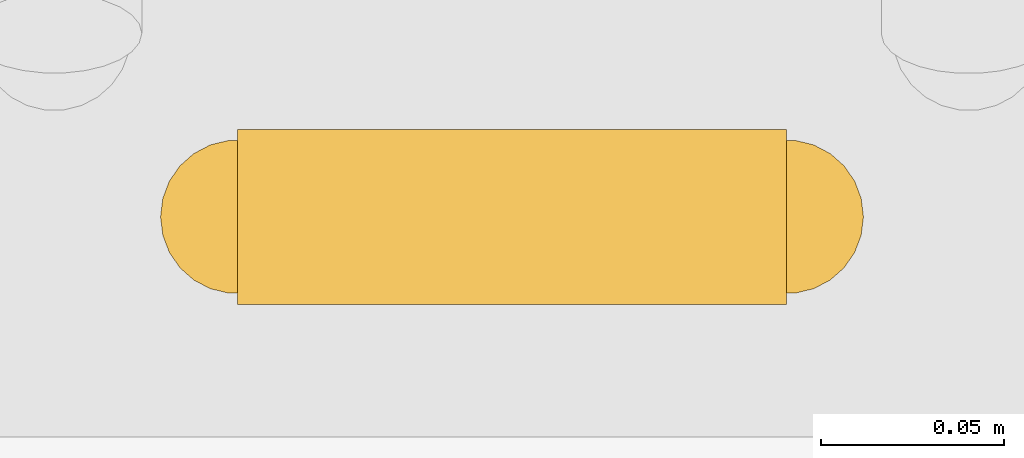
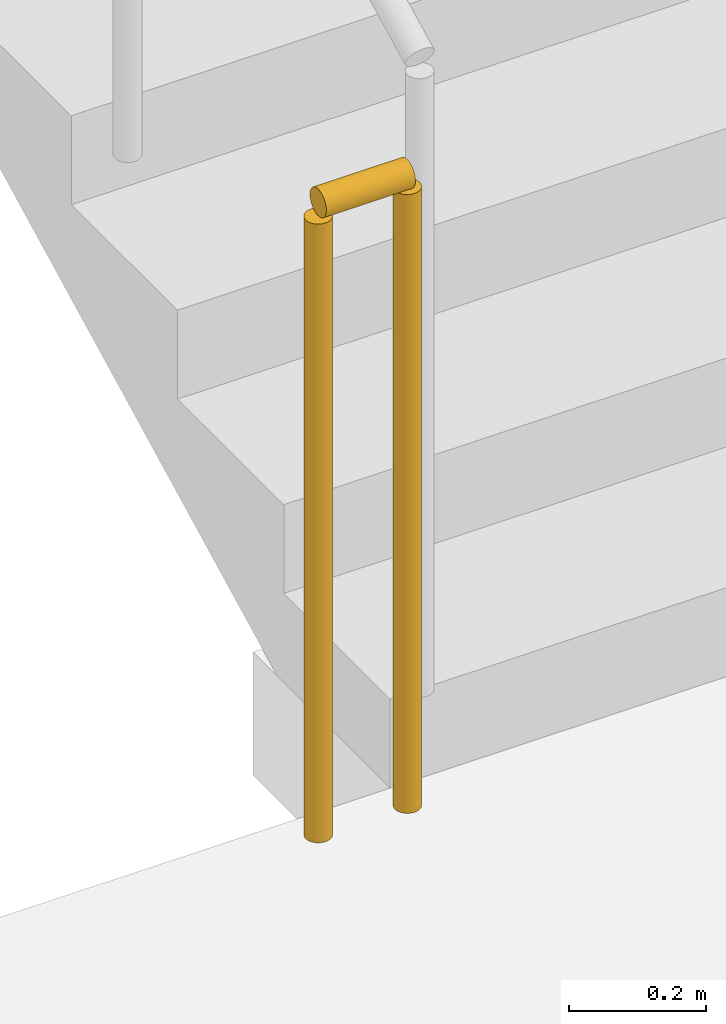
# One storey, part 15 of 18: 1 railing.
"""IFC4 building model written with IfcOpenShell, lengths in metres."""

from ifc_helpers import new_model, si_unit, direction, frame, origin, origin_2d, place, context, subcontext, project, spatial, circle, extrude, material, type_object, element, save


model = new_model("IFC4")

# Units and contexts
model_context = context("Model", 3, precision=1e-05, world=origin(), true_north=direction((0.0, 1.0)))
body_context = subcontext(model_context, "Body", "Model", "MODEL_VIEW")
ifc_project = project(units=[si_unit("LENGTHUNIT", "METRE"), si_unit("AREAUNIT", "SQUARE_METRE"), si_unit("VOLUMEUNIT", "CUBIC_METRE"), si_unit("PLANEANGLEUNIT", "RADIAN"), si_unit("MASSUNIT", "GRAM", prefix="KILO")], contexts=[model_context])

# Site, building, storey
site_placement = place(None, origin())
site = spatial("IfcSite", under=ifc_project, at=site_placement, CompositionType="ELEMENT")
building_placement = place(site_placement, origin())
building = spatial("IfcBuilding", under=site, at=building_placement, Name="Vaeldorn Concourse Tower", CompositionType="ELEMENT")
storey_placement = place(building_placement, frame((0.0, 0.0, 261.199951171875)))
storey = spatial("IfcBuildingStorey", under=building, at=storey_placement, Name="L67", CompositionType="ELEMENT", Elevation=261.199951171875)

# Railing
ifc_material = material(Name="Anodised Bronze Aluminium", Category="aluminium")
railing_type = type_object("IfcRailingType", Name="RL-STAIR-GUARD", PredefinedType="GUARDRAIL", material=ifc_material)
railing_placement = place(storey_placement, frame((51.35009765625, 41.550048828125, 0.0)))
element("IfcRailing", 1, at=railing_placement, inside=storey, type_object=railing_type, Name="L67 ST-2 stair guard 4", PredefinedType="GUARDRAIL", context=body_context, shape_type="SweptSolid", body=[
    extrude(circle(Radius=0.02392578125, at=origin_2d()), frame((0.0, 0.0, 1.1259765625), z_axis=(-1.0, 0.0, 0.0), x_axis=(0.0, -1.0, 0.0)), (0.0, 0.0, 1.0), 0.150146484375),
    extrude(circle(Radius=0.02099609375, at=origin_2d()), origin(), (0.0, 0.0, 1.0), 1.101806640625),
    extrude(circle(Radius=0.02099609375, at=origin_2d()), frame((-0.150146484375, 0.0, 0.0)), (0.0, 0.0, 1.0), 1.101806640625),
])

save(model, "model.ifc")
